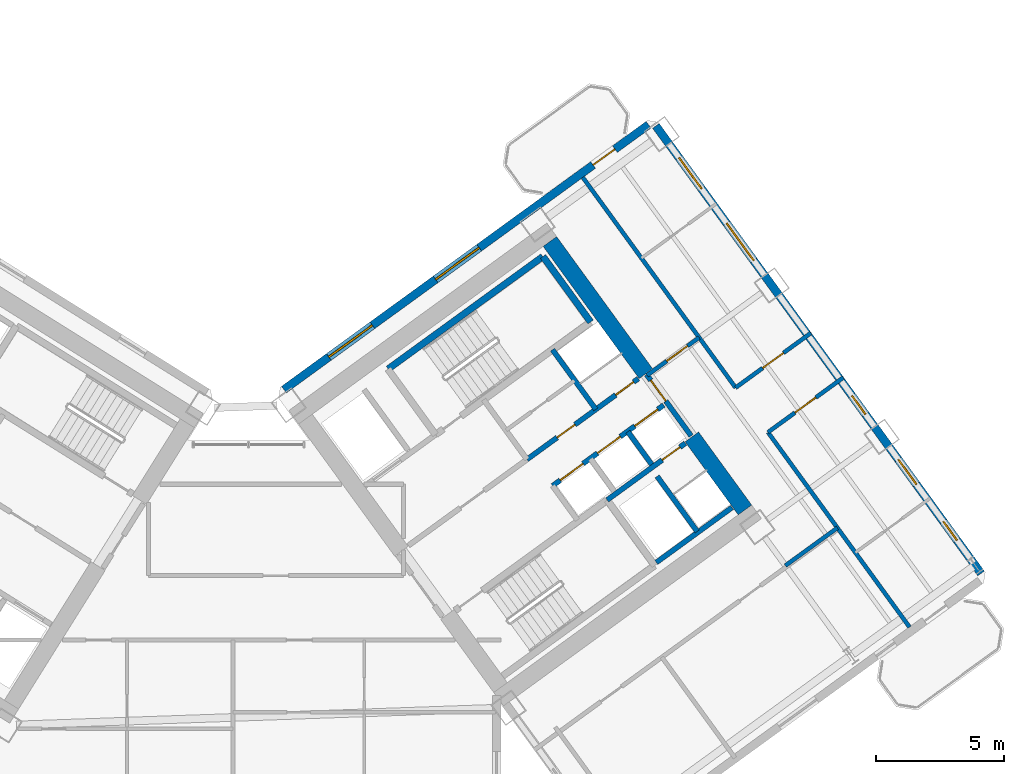
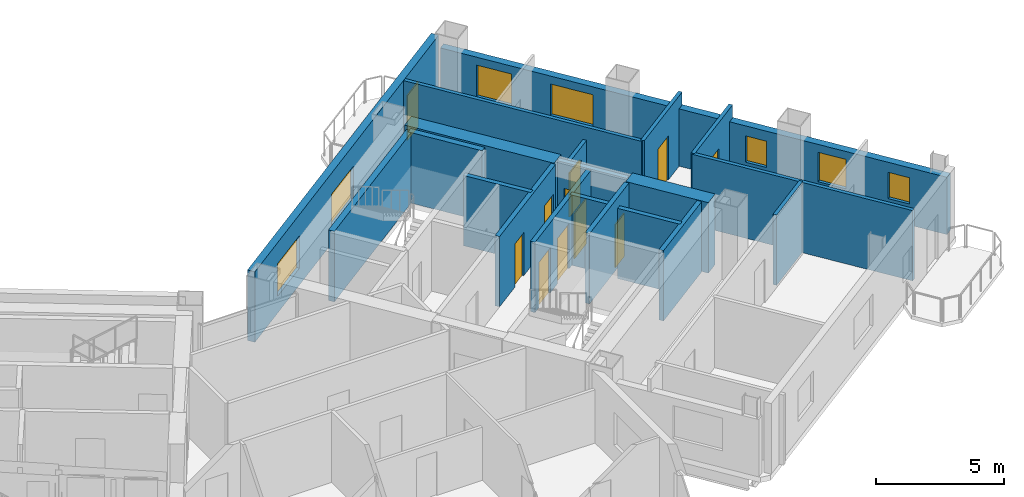
# One storey, part 19 of 24: 20 walls, 11 doors, 7 windows, 18 openings.
"""IFC4 building model written with IfcOpenShell, lengths in metres."""

import ifcopenshell
import ifcopenshell.guid

model = None  # the IFC model being written
_history = None  # IfcOwnerHistory: only IFC2X3 demands one
_inside = {}  # id of a spatial element -> (the spatial element, [elements in it])
_under = {}  # id of a project, library or spatial element -> (it, [spatial elements below it])
_declared = {}  # id of a project -> (the project, [libraries it declares])
_typed = {}  # id of a type object -> (the type object, [elements of that type])
_made_of = {}  # id of a material, layer set ... -> (it, [elements and type objects made of it])


def new_model(schema):
    """Start an empty IFC model of exactly this schema.

    Asked for "IFC4X3", IfcOpenShell would pick the latest addendum, in which some entities
    have other attributes; the version numbers below select the first issue.
    IFC2X3 requires an IfcOwnerHistory on every rooted entity: one is made here for all.
    """
    global model, _history
    if schema == "IFC4X3":
        model = ifcopenshell.file(schema_version=(4, 3, 0, 0))
    else:
        model = ifcopenshell.file(schema=schema)
    _inside.clear()
    _under.clear()
    _declared.clear()
    _typed.clear()
    _made_of.clear()
    _history = None
    if model.schema == "IFC2X3":
        org = make("IfcOrganization", Name="unknown")
        user = make(
            "IfcPersonAndOrganization",
            ThePerson=make("IfcPerson", FamilyName="unknown"),
            TheOrganization=org,
        )
        app = make(
            "IfcApplication",
            ApplicationDeveloper=org,
            Version="unknown",
            ApplicationFullName="unknown",
            ApplicationIdentifier="unknown",
        )
        _history = make(
            "IfcOwnerHistory",
            OwningUser=user,
            OwningApplication=app,
            ChangeAction="ADDED",
            CreationDate=0,
        )
    return model


def make(cls, **values):
    """One entity of the class cls with the attributes given. An attribute that is None is left unset."""
    return model.create_entity(
        cls, **{name: value for name, value in values.items() if value is not None}
    )


def rooted(cls, **values):
    """An entity with a GlobalId (a new one), such as an element, a storey or a relation."""
    return make(cls, GlobalId=ifcopenshell.guid.new(), OwnerHistory=_history, **values)


def si_unit(unit_type, name, prefix=None):
    """IfcSIUnit, for example si_unit("LENGTHUNIT", "METRE", prefix="MILLI")."""
    return make("IfcSIUnit", UnitType=unit_type, Prefix=prefix, Name=name)


def assignment(units):
    """IfcUnitAssignment: the units of a project."""
    return None if units is None else make("IfcUnitAssignment", Units=units)


def point(xyz):
    """IfcCartesianPoint."""
    return None if xyz is None else make("IfcCartesianPoint", Coordinates=xyz)


def direction(xyz):
    """IfcDirection."""
    return None if xyz is None else make("IfcDirection", DirectionRatios=xyz)


def frame(location, z_axis=None, x_axis=None):
    """IfcAxis2Placement3D, a coordinate frame: its origin and axes. An axis left out is left unset."""
    return make(
        "IfcAxis2Placement3D",
        Location=point(location),
        Axis=direction(z_axis),
        RefDirection=direction(x_axis),
    )


def frame_2d(location, x_axis=None):
    """IfcAxis2Placement2D, a coordinate frame in the plane: its origin and x axis."""
    return make(
        "IfcAxis2Placement2D", Location=point(location), RefDirection=direction(x_axis)
    )


def origin():
    """The frame at (0, 0, 0) with its axes left unset."""
    return frame((0.0, 0.0, 0.0))


def place(relative_to, where):
    """IfcLocalPlacement: puts the frame where relative to a parent placement (None: the world)."""
    return make(
        "IfcLocalPlacement", PlacementRelTo=relative_to, RelativePlacement=where
    )


def context(
    kind, dimensions, precision=None, world=None, true_north=None, identifier=None
):
    """IfcGeometricRepresentationContext, for example the 3D "Model" context."""
    return make(
        "IfcGeometricRepresentationContext",
        ContextIdentifier=identifier,
        ContextType=kind,
        CoordinateSpaceDimension=dimensions,
        Precision=precision,
        WorldCoordinateSystem=world,
        TrueNorth=true_north,
    )


def subcontext(parent, identifier, kind, view, scale=None):
    """IfcGeometricRepresentationSubContext, for example "Body" below "Model"."""
    return make(
        "IfcGeometricRepresentationSubContext",
        ContextIdentifier=identifier,
        ContextType=kind,
        ParentContext=parent,
        TargetScale=scale,
        TargetView=view,
    )


def project(units=None, contexts=None):
    """IfcProject with its units and contexts."""
    return rooted(
        "IfcProject",
        Name="project",
        RepresentationContexts=contexts,
        UnitsInContext=assignment(units),
    )


def spatial(cls, under=None, at=None, **own):
    """A site, building, storey or space (cls), placed at a placement, below another one or the project."""
    s = rooted(cls, ObjectPlacement=at, **own)
    if under is not None:
        _under.setdefault(under.id(), (under, []))[1].append(s)
    return s


def profile(cls, at=None, kind="AREA", **sizes):
    """A parametric profile (cls). Its sizes go by their IFC names, for example OverallWidth=200.0."""
    return make(cls, ProfileType=kind, Position=at, **sizes)


def rectangle(**sizes):
    """IfcRectangleProfileDef."""
    return profile("IfcRectangleProfileDef", **sizes)


def extrude(swept, where, along, depth):
    """IfcExtrudedAreaSolid: the profile swept, set in the frame where, extruded along a direction by depth."""
    return make(
        "IfcExtrudedAreaSolid",
        SweptArea=swept,
        Position=where,
        ExtrudedDirection=direction(along),
        Depth=depth,
    )


def shape(context_of_items, identifier, shape_type, items):
    """IfcShapeRepresentation: the items that make up one representation, for example the "Body"."""
    return make(
        "IfcShapeRepresentation",
        ContextOfItems=context_of_items,
        RepresentationIdentifier=identifier,
        RepresentationType=shape_type,
        Items=items,
    )


def source(mapping_origin, context_of_items, identifier, shape_type, items):
    """IfcRepresentationMap: a shape defined once, which mapped items show again and again."""
    return make(
        "IfcRepresentationMap",
        MappingOrigin=mapping_origin,
        MappedRepresentation=shape(context_of_items, identifier, shape_type, items),
    )


def transform(
    local_origin,
    x_axis=None,
    y_axis=None,
    z_axis=None,
    scale=None,
    scale2=None,
    scale3=None,
    uniform=True,
):
    """IfcCartesianTransformationOperator3D, or its non-uniform kind. x_axis, y_axis, z_axis: its Axis1, 2, 3."""
    if uniform:
        return make(
            "IfcCartesianTransformationOperator3D",
            Axis1=direction(x_axis),
            Axis2=direction(y_axis),
            LocalOrigin=point(local_origin),
            Scale=scale,
            Axis3=direction(z_axis),
        )
    return make(
        "IfcCartesianTransformationOperator3DnonUniform",
        Axis1=direction(x_axis),
        Axis2=direction(y_axis),
        LocalOrigin=point(local_origin),
        Scale=scale,
        Axis3=direction(z_axis),
        Scale2=scale2,
        Scale3=scale3,
    )


def mapped(mapping_source, mapping_target):
    """IfcMappedItem: shows the shape of a source again, moved by a transform."""
    return make(
        "IfcMappedItem", MappingSource=mapping_source, MappingTarget=mapping_target
    )


def material(Name=None, Category=None):
    """IfcMaterial."""
    return make("IfcMaterial", Name=Name, Category=Category)


def layer(
    of_material, thickness, ventilated=None, Name=None, Category=None, Priority=None
):
    """IfcMaterialLayer: one layer of a wall or slab, of a material (None: an air gap)."""
    return make(
        "IfcMaterialLayer",
        Material=of_material,
        LayerThickness=thickness,
        IsVentilated=ventilated,
        Name=Name,
        Category=Category,
        Priority=Priority,
    )


def layer_set(layers, Name=None):
    """IfcMaterialLayerSet."""
    return make("IfcMaterialLayerSet", MaterialLayers=layers, LayerSetName=Name)


def made_of(thing, what):
    """Note that an element or type object is made of a material, layer set ...; save() writes the relation."""
    if what is not None:
        _made_of.setdefault(what.id(), (what, []))[1].append(thing)
    return thing


def type_object(cls, material=None, **own):
    """A type object (cls), such as IfcWallType, which elements share."""
    return made_of(rooted(cls, **own), material)


def element(
    cls,
    number,
    at=None,
    inside=None,
    cuts=None,
    type_object=None,
    material=None,
    context=None,
    identifier="Body",
    shape_type=None,
    held_by="IfcProductDefinitionShape",
    body=None,
    shapes=None,
    **own,
):
    """One element of the class cls, such as IfcWall. Its Tag is "e" and its number.

    at: its placement. inside: the storey or other place that contains it. cuts: it is an
    opening in that element (IfcRelVoidsElement). A single representation is given by context,
    identifier, shape_type and body (its items); several are given by shapes. held_by: the class
    of the entity that holds the representations. save() writes the other relations.
    """
    e = rooted(cls, Tag="e%d" % number, ObjectPlacement=at, **own)
    if body is not None:
        shapes = [shape(context, identifier, shape_type, body)]
    if shapes is not None:
        e.Representation = make(held_by, Representations=shapes)
    if inside is not None:
        _inside.setdefault(inside.id(), (inside, []))[1].append(e)
    if cuts is not None:
        rooted(
            "IfcRelVoidsElement", RelatingBuildingElement=cuts, RelatedOpeningElement=e
        )
    if type_object is not None:
        _typed.setdefault(type_object.id(), (type_object, []))[1].append(e)
    return made_of(e, material)


def fill(opening, filler):
    """IfcRelFillsElement: the door or window that sits in an opening."""
    return rooted(
        "IfcRelFillsElement",
        RelatingOpeningElement=opening,
        RelatedBuildingElement=filler,
    )


def aggregate(whole, parts):
    """IfcRelAggregates: a whole, such as a stair, and the parts it consists of."""
    return rooted("IfcRelAggregates", RelatingObject=whole, RelatedObjects=parts)


def save(model, path):
    """Write the relations noted so far, then the file.

    IfcRelAggregates (storeys below a building ...), IfcRelContainedInSpatialStructure (elements
    in a storey), IfcRelDefinesByType, IfcRelAssociatesMaterial and IfcRelDeclares: one each for
    every whole, place, type object, material and project.
    """
    for whole, parts in _under.values():
        aggregate(whole, parts)
    for where, things in _inside.values():
        rooted(
            "IfcRelContainedInSpatialStructure",
            RelatedElements=things,
            RelatingStructure=where,
        )
    for kind, things in _typed.values():
        rooted("IfcRelDefinesByType", RelatedObjects=things, RelatingType=kind)
    for what, things in _made_of.values():
        rooted("IfcRelAssociatesMaterial", RelatedObjects=things, RelatingMaterial=what)
    for by, libraries in _declared.values():
        rooted("IfcRelDeclares", RelatingContext=by, RelatedDefinitions=libraries)
    model.write(path)


model = new_model("IFC4")

# Units and contexts
model_context = context("Model", 3, precision=1e-05, world=origin(), true_north=direction((0.0, 1.0)))
body_context = subcontext(model_context, "Body", "Model", "MODEL_VIEW")
ifc_project = project(units=[si_unit("LENGTHUNIT", "METRE"), si_unit("AREAUNIT", "SQUARE_METRE"), si_unit("VOLUMEUNIT", "CUBIC_METRE"), si_unit("PLANEANGLEUNIT", "RADIAN"), si_unit("MASSUNIT", "GRAM", prefix="KILO")], contexts=[model_context])

# Site, building, storey
site_placement = place(None, origin())
site = spatial("IfcSite", under=ifc_project, at=site_placement, CompositionType="ELEMENT")
building_placement = place(site_placement, origin())
building = spatial("IfcBuilding", under=site, at=building_placement, Name="Tlacorven Tower", CompositionType="ELEMENT")
storey_placement = place(building_placement, frame((0.0, 0.0, 60.0)))
storey = spatial("IfcBuildingStorey", under=building, at=storey_placement, Name="L15", CompositionType="ELEMENT", Elevation=60.0)

# Walls
ifc_material_1 = material(Name="Concrete C60/75", Category="concrete")
ifc_layer_1 = layer(ifc_material_1, 0.64990234375)
ifc_layer_set_1 = layer_set([ifc_layer_1], Name="Concrete C60/75")
wall_type_1 = type_object("IfcWallType", Name="WL-COR-650", PredefinedType="SHEAR", material=ifc_layer_set_1)
wall_1_placement = place(storey_placement, frame((61.9287109375, 20.494384765625, 0.0), z_axis=(0.0, 0.0, 1.0), x_axis=(-0.58782982593, 0.808984607855, 0.0)))
element("IfcWall", 1, at=wall_1_placement, inside=storey, type_object=wall_type_1, Name="L15 E core end wall E2.1", PredefinedType="SHEAR", context=body_context, shape_type="SweptSolid", body=[
    extrude(rectangle(XDim=3.52490234375, YDim=0.64990234375, at=frame_2d((1.762451171875, 0.0))), origin(), (0.0, 0.0, 1.0), 3.35009765625),
])
wall_2_placement = place(storey_placement, frame((58.06396484375, 25.8134765625, 0.0), z_axis=(0.0, 0.0, 1.0), x_axis=(-0.58777996584, 0.809020835181, 0.0)))
element("IfcWall", 2, at=wall_2_placement, inside=storey, type_object=wall_type_1, Name="L15 E core end wall E2.2", PredefinedType="SHEAR", context=body_context, shape_type="SweptSolid", body=[
    extrude(rectangle(XDim=6.375, YDim=0.64990234375, at=frame_2d((3.1875, 0.0))), origin(), (0.0, 0.0, 1.0), 3.35009765625),
])
ifc_material_2 = material(Name="Gypsum plasterboard acoustic partition", Category="gypsum")
ifc_layer_2 = layer(ifc_material_2, 0.159912109375)
ifc_layer_set_2 = layer_set([ifc_layer_2], Name="Gypsum plasterboard acoustic partition")
wall_type_2 = type_object("IfcWallType", Name="WL-DEM-160", PredefinedType="PARTITIONING", material=ifc_layer_set_2)
wall_3_placement = place(storey_placement, frame((63.5068359375, 18.322021484375, 0.0), z_axis=(0.0, 0.0, 1.0), x_axis=(0.809034604122, 0.587761013791, 0.0)))
element("IfcWall", 3, at=wall_3_placement, inside=storey, type_object=wall_type_2, Name="L15 partition 89", PredefinedType="PARTITIONING", context=body_context, shape_type="SweptSolid", body=[
    extrude(rectangle(XDim=2.510009765625, YDim=0.159912109375, at=frame_2d((1.2548828125, 0.0))), origin(), (0.0, 0.0, 1.0), 3.340087890625),
])

# Wall, opening, door
wall_4_placement = place(storey_placement, frame((58.111083984375, 25.748779296875, 0.0), z_axis=(0.0, 0.0, 1.0), x_axis=(0.809000999347, 0.58780726693, 0.0)))
wall_4 = element("IfcWall", 4, at=wall_4_placement, inside=storey, type_object=wall_type_2, Name="L15 partition 90", PredefinedType="PARTITIONING", context=body_context, shape_type="SweptSolid", body=[
    extrude(rectangle(XDim=2.510009765625, YDim=0.159912109375, at=frame_2d((1.2548828125, 0.0))), origin(), (0.0, 0.0, 1.0), 2.72509765625),
])
opening_1_placement = place(wall_4_placement, frame((0.949951171875, 0.0, 0.0)))
opening_1 = element("IfcOpeningElement", 5, at=opening_1_placement, cuts=wall_4, Name="Opening D11", PredefinedType="OPENING", context=body_context, shape_type="SweptSolid", body=[
    extrude(rectangle(XDim=1.0, YDim=2.10009765625, at=frame_2d((0.5, 1.050048828125))), frame((0.0, 0.08984375, 0.0), z_axis=(0.0, -1.0, 0.0), x_axis=(1.0, 0.0, 0.0)), (0.0, 0.0, 1.0), 0.179931640625),
])
ifc_material_3 = material(Name="Fire-rated steel door assembly", Category="steel")
door_type_1 = type_object("IfcDoorType", Name="DR-FLT-FD60-1000", OperationType="NOTDEFINED", PredefinedType="DOOR", material=ifc_material_3)
shared_shape_1 = source(origin(), body_context, "Body", "SweptSolid", [
    extrude(rectangle(XDim=1.0, YDim=2.10009765625, at=frame_2d((0.5, 1.050048828125))), frame((0.0, 0.02490234375, 0.0), z_axis=(0.0, -1.0, 0.0), x_axis=(1.0, 0.0, 0.0)), (0.0, 0.0, 1.0), 0.050048828125),
])
door_1_placement = place(opening_1_placement, origin())
door_1 = element("IfcDoor", 6, at=door_1_placement, inside=storey, type_object=door_type_1, Name="L15 door 053", OperationType="SINGLE_SWING_RIGHT", OverallHeight=2.10009765625, OverallWidth=1.0, PredefinedType="DOOR", context=body_context, shape_type="MappedRepresentation", body=[
    mapped(shared_shape_1, transform((0.0, 0.0, 0.0), scale=1.0)),
])
fill(opening_1, door_1)

# Walls
wall_5_placement = place(storey_placement, frame((68.35302734375, 15.922119140625, 0.0), z_axis=(0.0, 0.0, 1.0), x_axis=(-0.587784007866, 0.809017898502, 0.0)))
element("IfcWall", 7, at=wall_5_placement, inside=storey, type_object=wall_type_2, Name="L15 partition 91", PredefinedType="PARTITIONING", context=body_context, shape_type="SweptSolid", body=[
    extrude(rectangle(XDim=9.39990234375, YDim=0.159912109375, at=frame_2d((4.699951171875, 0.0))), origin(), (0.0, 0.0, 1.0), 3.340087890625),
])
wall_6_placement = place(storey_placement, frame((61.564208984375, 25.266357421875, 0.0), z_axis=(0.0, 0.0, 1.0), x_axis=(-0.587792629712, 0.809011634314, 0.0)))
element("IfcWall", 8, at=wall_6_placement, inside=storey, type_object=wall_type_2, Name="L15 partition 92", PredefinedType="PARTITIONING", context=body_context, shape_type="SweptSolid", body=[
    extrude(rectangle(XDim=10.14990234375, YDim=0.159912109375, at=frame_2d((5.074951171875, 0.0))), origin(), (0.0, 0.0, 1.0), 3.340087890625),
])

# Wall, opening, door
wall_7_placement = place(storey_placement, frame((62.827880859375, 23.52685546875, 0.0), z_axis=(0.0, 0.0, 1.0), x_axis=(0.809003564202, 0.587803736896, 0.0)))
wall_7 = element("IfcWall", 9, at=wall_7_placement, inside=storey, type_object=wall_type_2, Name="L15 partition 94", PredefinedType="PARTITIONING", context=body_context, shape_type="SweptSolid", body=[
    extrude(rectangle(XDim=3.630126953125, YDim=0.159912109375, at=frame_2d((1.81494140625, 0.0))), origin(), (0.0, 0.0, 1.0), 3.340087890625),
])
opening_2_placement = place(wall_7_placement, frame((1.304931640625, 0.0, 0.0)))
opening_2 = element("IfcOpeningElement", 10, at=opening_2_placement, cuts=wall_7, Name="Opening D11", PredefinedType="OPENING", context=body_context, shape_type="SweptSolid", body=[
    extrude(rectangle(XDim=1.0, YDim=2.10009765625, at=frame_2d((0.5, 1.050048828125))), frame((0.0, 0.08984375, 0.0), z_axis=(0.0, -1.0, 0.0), x_axis=(1.0, 0.0, 0.0)), (0.0, 0.0, 1.0), 0.179931640625),
])
door_2_placement = place(opening_2_placement, origin())
door_2 = element("IfcDoor", 11, at=door_2_placement, inside=storey, type_object=door_type_1, Name="L15 door 057", OperationType="SINGLE_SWING_RIGHT", OverallHeight=2.10009765625, OverallWidth=1.0, PredefinedType="DOOR", context=body_context, shape_type="MappedRepresentation", body=[
    mapped(shared_shape_1, transform((0.0, 0.0, 0.0), scale=1.0)),
])
fill(opening_2, door_2)

wall_8_placement = place(storey_placement, frame((61.564208984375, 25.266357421875, 0.0), z_axis=(0.0, 0.0, 1.0), x_axis=(0.809012309495, 0.587791700422, 0.0)))
wall_8 = element("IfcWall", 12, at=wall_8_placement, inside=storey, type_object=wall_type_2, Name="L15 partition 95", PredefinedType="PARTITIONING", context=body_context, shape_type="SweptSolid", body=[
    extrude(rectangle(XDim=3.6298828125, YDim=0.159912109375, at=frame_2d((1.81494140625, 0.0))), origin(), (0.0, 0.0, 1.0), 3.340087890625),
])
opening_3_placement = place(wall_8_placement, frame((1.304931640625, 0.0, 0.0)))
opening_3 = element("IfcOpeningElement", 13, at=opening_3_placement, cuts=wall_8, Name="Opening D11", PredefinedType="OPENING", context=body_context, shape_type="SweptSolid", body=[
    extrude(rectangle(XDim=1.0, YDim=2.10009765625, at=frame_2d((0.5, 1.050048828125))), frame((0.0, 0.08984375, 0.0), z_axis=(0.0, -1.0, 0.0), x_axis=(1.0, 0.0, 0.0)), (0.0, 0.0, 1.0), 0.179931640625),
])
door_3_placement = place(opening_3_placement, origin())
door_3 = element("IfcDoor", 14, at=door_3_placement, inside=storey, type_object=door_type_1, Name="L15 door 055", OperationType="SINGLE_SWING_RIGHT", OverallHeight=2.10009765625, OverallWidth=1.0, PredefinedType="DOOR", context=body_context, shape_type="MappedRepresentation", body=[
    mapped(shared_shape_1, transform((0.0, 0.0, 0.0), scale=1.0)),
])
fill(opening_3, door_3)

# Wall, openings, door, windows
ifc_material_4 = material(Name="Precast concrete C45/55", Category="concrete")
ifc_layer_3 = layer(ifc_material_4, 0.320068359375)
ifc_layer_set_3 = layer_set([ifc_layer_3], Name="Precast concrete C45/55")
wall_type_3 = type_object("IfcWallType", Name="WL-EXT-320", PredefinedType="STANDARD", material=ifc_layer_set_3)
wall_9_placement = place(storey_placement, frame((43.93798828125, 25.191650390625, 0.0), z_axis=(0.0, 0.0, 1.0), x_axis=(0.809016324578, 0.587786174187, 0.0)))
wall_9 = element("IfcWall", 15, at=wall_9_placement, inside=storey, type_object=wall_type_3, Name="L15 Masonry-Frame Recessed Facade Wall 4", PredefinedType="STANDARD", context=body_context, shape_type="SweptSolid", body=[
    extrude(rectangle(XDim=17.58740234375, YDim=0.320068359375, at=frame_2d((8.793701171875, 0.0))), origin(), (0.0, 0.0, 1.0), 3.35009765625),
])
opening_4_placement = place(wall_9_placement, frame((14.913818359375, 0.0, 0.0)))
opening_4 = element("IfcOpeningElement", 16, at=opening_4_placement, cuts=wall_9, Name="Opening D06", PredefinedType="OPENING", context=body_context, shape_type="SweptSolid", body=[
    extrude(rectangle(XDim=1.050048828125, YDim=2.14990234375, at=frame_2d((0.52490234375, 1.074951171875))), frame((0.0, 0.169921875, 0.0), z_axis=(0.0, -1.0, 0.0), x_axis=(1.0, 0.0, 0.0)), (0.0, 0.0, 1.0), 0.340087890625),
])
opening_5_placement = place(wall_9_placement, frame((2.168701171875, 0.0, 0.800048828125)))
opening_5 = element("IfcOpeningElement", 17, at=opening_5_placement, cuts=wall_9, Name="Opening WN04", PredefinedType="OPENING", context=body_context, shape_type="SweptSolid", body=[
    extrude(rectangle(XDim=2.10009765625, YDim=1.550048828125, at=frame_2d((1.050048828125, 0.77490234375))), frame((0.0, 0.169921875, 0.0), z_axis=(0.0, -1.0, 0.0), x_axis=(1.0, 0.0, 0.0)), (0.0, 0.0, 1.0), 0.340087890625),
])
opening_6_placement = place(wall_9_placement, frame((7.318603515625, 0.0, 0.800048828125)))
opening_6 = element("IfcOpeningElement", 18, at=opening_6_placement, cuts=wall_9, Name="Opening WN04", PredefinedType="OPENING", context=body_context, shape_type="SweptSolid", body=[
    extrude(rectangle(XDim=2.10009765625, YDim=1.550048828125, at=frame_2d((1.050048828125, 0.77490234375))), frame((0.0, 0.169921875, 0.0), z_axis=(0.0, -1.0, 0.0), x_axis=(1.0, 0.0, 0.0)), (0.0, 0.0, 1.0), 0.340087890625),
])
ifc_material_5 = material(Name="Powder-coated aluminium and timber door", Category="wood")
door_type_2 = type_object("IfcDoorType", Name="DR-EXT-BALC-1050", OperationType="NOTDEFINED", PredefinedType="DOOR", material=ifc_material_5)
shared_shape_2 = source(origin(), body_context, "Body", "SweptSolid", [
    extrude(rectangle(XDim=1.050048828125, YDim=2.14990234375, at=frame_2d((0.52490234375, 1.074951171875))), frame((0.0, 0.02490234375, 0.0), z_axis=(0.0, -1.0, 0.0), x_axis=(1.0, 0.0, 0.0)), (0.0, 0.0, 1.0), 0.050048828125),
])
door_4_placement = place(opening_4_placement, origin())
door_4 = element("IfcDoor", 19, at=door_4_placement, inside=storey, type_object=door_type_2, Name="L15 Outdoor Access Door BAL-L15-E-IN", OperationType="SINGLE_SWING_RIGHT", OverallHeight=2.14990234375, OverallWidth=1.050048828125, PredefinedType="DOOR", context=body_context, shape_type="MappedRepresentation", body=[
    mapped(shared_shape_2, transform((0.0, 0.0, 0.0), scale=1.0)),
])
fill(opening_4, door_4)
ifc_material_6 = material(Name="Dark solar low-E double glazing in anodised aluminium frame", Category="aluminium")
window_type_1 = type_object("IfcWindowType", Name="WN-APT-2100X1750", PartitioningType="SINGLE_PANEL", PredefinedType="WINDOW", material=ifc_material_6)
shared_shape_3 = source(origin(), body_context, "Body", "SweptSolid", [
    extrude(rectangle(XDim=2.10009765625, YDim=1.550048828125, at=frame_2d((1.050048828125, 0.77490234375))), frame((0.0, 0.030029296875, 0.0), z_axis=(0.0, -1.0, 0.0), x_axis=(1.0, 0.0, 0.0)), (0.0, 0.0, 1.0), 0.06005859375),
])
window_1_placement = place(opening_5_placement, origin())
window_1 = element("IfcWindow", 20, at=window_1_placement, inside=storey, type_object=window_type_1, Name="L15 Recessed Masonry-Frame Window L15-04.1", OverallHeight=1.550048828125, OverallWidth=2.10009765625, PartitioningType="SINGLE_PANEL", PredefinedType="WINDOW", context=body_context, shape_type="MappedRepresentation", body=[
    mapped(shared_shape_3, transform((0.0, 0.0, 0.0), scale=1.0)),
])
fill(opening_5, window_1)
window_2_placement = place(opening_6_placement, origin())
window_2 = element("IfcWindow", 21, at=window_2_placement, inside=storey, type_object=window_type_1, Name="L15 Recessed Masonry-Frame Window L15-04.2", OverallHeight=1.550048828125, OverallWidth=2.10009765625, PartitioningType="SINGLE_PANEL", PredefinedType="WINDOW", context=body_context, shape_type="MappedRepresentation", body=[
    mapped(shared_shape_3, transform((0.0, 0.0, 0.0), scale=1.0)),
])
fill(opening_6, window_2)

# Wall, openings, windows
wall_10_placement = place(storey_placement, frame((58.45458984375, 35.483642578125, 0.0), z_axis=(0.0, 0.0, 1.0), x_axis=(0.587783625747, -0.809018176127, 0.0)))
wall_10 = element("IfcWall", 22, at=wall_10_placement, inside=storey, type_object=wall_type_3, Name="L15 Masonry-Frame Recessed Facade Wall 5", PredefinedType="STANDARD", context=body_context, shape_type="SweptSolid", body=[
    extrude(rectangle(XDim=21.58740234375, YDim=0.320068359375, at=frame_2d((10.793701171875, 0.0))), origin(), (0.0, 0.0, 1.0), 2.72509765625),
])
opening_7_placement = place(wall_10_placement, frame((1.540283203125, 0.0, 0.85009765625)))
opening_7 = element("IfcOpeningElement", 23, at=opening_7_placement, cuts=wall_10, Name="Opening WN02", PredefinedType="OPENING", context=body_context, shape_type="SweptSolid", body=[
    extrude(rectangle(XDim=1.5, YDim=1.5, at=frame_2d((0.75, 0.75))), frame((0.0, 0.169921875, 0.0), z_axis=(0.0, -1.0, 0.0), x_axis=(1.0, 0.0, 0.0)), (0.0, 0.0, 1.0), 0.340087890625),
])
opening_8_placement = place(wall_10_placement, frame((4.6953125, 0.0, 0.85009765625)))
opening_8 = element("IfcOpeningElement", 24, at=opening_8_placement, cuts=wall_10, Name="Opening WN01", PredefinedType="OPENING", context=body_context, shape_type="SweptSolid", body=[
    extrude(rectangle(XDim=1.800048828125, YDim=1.5, at=frame_2d((0.89990234375, 0.75))), frame((0.0, 0.169921875, 0.0), z_axis=(0.0, -1.0, 0.0), x_axis=(1.0, 0.0, 0.0)), (0.0, 0.0, 1.0), 0.340087890625),
])
opening_9_placement = place(wall_10_placement, frame((13.0087890625, 0.0, 1.0)))
opening_9 = element("IfcOpeningElement", 25, at=opening_9_placement, cuts=wall_10, Name="Opening WN05", PredefinedType="OPENING", context=body_context, shape_type="SweptSolid", body=[
    extrude(rectangle(XDim=0.89990234375, YDim=1.25, at=frame_2d((0.449951171875, 0.625))), frame((0.0, 0.169921875, 0.0), z_axis=(0.0, -1.0, 0.0), x_axis=(1.0, 0.0, 0.0)), (0.0, 0.0, 1.0), 0.340087890625),
])
opening_10_placement = place(wall_10_placement, frame((16.09228515625, 0.0, 0.949951171875)))
opening_10 = element("IfcOpeningElement", 26, at=opening_10_placement, cuts=wall_10, Name="Opening WN03", PredefinedType="OPENING", context=body_context, shape_type="SweptSolid", body=[
    extrude(rectangle(XDim=1.199951171875, YDim=1.39990234375, at=frame_2d((0.60009765625, 0.699951171875))), frame((0.0, 0.169921875, 0.0), z_axis=(0.0, -1.0, 0.0), x_axis=(1.0, 0.0, 0.0)), (0.0, 0.0, 1.0), 0.340087890625),
])
opening_11_placement = place(wall_10_placement, frame((19.084716796875, 0.0, 1.0)))
opening_11 = element("IfcOpeningElement", 27, at=opening_11_placement, cuts=wall_10, Name="Opening WN05", PredefinedType="OPENING", context=body_context, shape_type="SweptSolid", body=[
    extrude(rectangle(XDim=0.89990234375, YDim=1.25, at=frame_2d((0.449951171875, 0.625))), frame((0.0, 0.169921875, 0.0), z_axis=(0.0, -1.0, 0.0), x_axis=(1.0, 0.0, 0.0)), (0.0, 0.0, 1.0), 0.340087890625),
])
window_type_2 = type_object("IfcWindowType", Name="WN-APT-1200X1500", PartitioningType="SINGLE_PANEL", PredefinedType="WINDOW", material=ifc_material_6)
shared_shape_4 = source(origin(), body_context, "Body", "SweptSolid", [
    extrude(rectangle(XDim=1.199951171875, YDim=1.39990234375, at=frame_2d((0.60009765625, 0.699951171875))), frame((0.0, 0.030029296875, 0.0), z_axis=(0.0, -1.0, 0.0), x_axis=(1.0, 0.0, 0.0)), (0.0, 0.0, 1.0), 0.06005859375),
])
window_3_placement = place(opening_10_placement, origin())
window_3 = element("IfcWindow", 28, at=window_3_placement, inside=storey, type_object=window_type_2, Name="L15 Recessed Masonry-Frame Window L15-05.4", OverallHeight=1.39990234375, OverallWidth=1.199951171875, PartitioningType="SINGLE_PANEL", PredefinedType="WINDOW", context=body_context, shape_type="MappedRepresentation", body=[
    mapped(shared_shape_4, transform((0.0, 0.0, 0.0), scale=1.0)),
])
fill(opening_10, window_3)
window_type_3 = type_object("IfcWindowType", Name="WN-APT-1800X1650", PartitioningType="SINGLE_PANEL", PredefinedType="WINDOW", material=ifc_material_6)
shared_shape_5 = source(origin(), body_context, "Body", "SweptSolid", [
    extrude(rectangle(XDim=1.800048828125, YDim=1.5, at=frame_2d((0.89990234375, 0.75))), frame((0.0, 0.030029296875, 0.0), z_axis=(0.0, -1.0, 0.0), x_axis=(1.0, 0.0, 0.0)), (0.0, 0.0, 1.0), 0.06005859375),
])
window_4_placement = place(opening_8_placement, origin())
window_4 = element("IfcWindow", 29, at=window_4_placement, inside=storey, type_object=window_type_3, Name="L15 Recessed Masonry-Frame Window L15-05.2", OverallHeight=1.5, OverallWidth=1.800048828125, PartitioningType="SINGLE_PANEL", PredefinedType="WINDOW", context=body_context, shape_type="MappedRepresentation", body=[
    mapped(shared_shape_5, transform((0.0, 0.0, 0.0), scale=1.0)),
])
fill(opening_8, window_4)
window_type_4 = type_object("IfcWindowType", Name="WN-APT-1500X1650", PartitioningType="SINGLE_PANEL", PredefinedType="WINDOW", material=ifc_material_6)
shared_shape_6 = source(origin(), body_context, "Body", "SweptSolid", [
    extrude(rectangle(XDim=1.5, YDim=1.5, at=frame_2d((0.75, 0.75))), frame((0.0, 0.030029296875, 0.0), z_axis=(0.0, -1.0, 0.0), x_axis=(1.0, 0.0, 0.0)), (0.0, 0.0, 1.0), 0.06005859375),
])
window_5_placement = place(opening_7_placement, origin())
window_5 = element("IfcWindow", 30, at=window_5_placement, inside=storey, type_object=window_type_4, Name="L15 Recessed Masonry-Frame Window L15-05.1", OverallHeight=1.5, OverallWidth=1.5, PartitioningType="SINGLE_PANEL", PredefinedType="WINDOW", context=body_context, shape_type="MappedRepresentation", body=[
    mapped(shared_shape_6, transform((0.0, 0.0, 0.0), scale=1.0)),
])
fill(opening_7, window_5)
window_type_5 = type_object("IfcWindowType", Name="WN-APT-0900X1350", PartitioningType="SINGLE_PANEL", PredefinedType="WINDOW", material=ifc_material_6)
shared_shape_7 = source(origin(), body_context, "Body", "SweptSolid", [
    extrude(rectangle(XDim=0.89990234375, YDim=1.25, at=frame_2d((0.449951171875, 0.625))), frame((0.0, 0.030029296875, 0.0), z_axis=(0.0, -1.0, 0.0), x_axis=(1.0, 0.0, 0.0)), (0.0, 0.0, 1.0), 0.06005859375),
])
window_6_placement = place(opening_9_placement, origin())
window_6 = element("IfcWindow", 31, at=window_6_placement, inside=storey, type_object=window_type_5, Name="L15 Recessed Masonry-Frame Window L15-05.3", OverallHeight=1.25, OverallWidth=0.89990234375, PartitioningType="SINGLE_PANEL", PredefinedType="WINDOW", context=body_context, shape_type="MappedRepresentation", body=[
    mapped(shared_shape_7, transform((0.0, 0.0, 0.0), scale=1.0)),
])
fill(opening_9, window_6)
window_7_placement = place(opening_11_placement, origin())
window_7 = element("IfcWindow", 32, at=window_7_placement, inside=storey, type_object=window_type_5, Name="L15 Recessed Masonry-Frame Window L15-05.5", OverallHeight=1.25, OverallWidth=0.89990234375, PartitioningType="SINGLE_PANEL", PredefinedType="WINDOW", context=body_context, shape_type="MappedRepresentation", body=[
    mapped(shared_shape_7, transform((0.0, 0.0, 0.0), scale=1.0)),
])
fill(opening_11, window_7)

# Wall, opening, door
ifc_material_7 = material(Name="Concrete C40/50", Category="concrete")
ifc_layer_4 = layer(ifc_material_7, 0.199951171875)
ifc_layer_set_4 = layer_set([ifc_layer_4], Name="Concrete C40/50")
wall_type_4 = type_object("IfcWallType", Name="WL-SHF-200", PredefinedType="STANDARD", material=ifc_layer_set_4)
wall_11_placement = place(storey_placement, frame((56.552978515625, 20.884033203125, 0.0), z_axis=(0.0, 0.0, 1.0), x_axis=(0.809035789462, 0.587759382205, 0.0)))
wall_11 = element("IfcWall", 33, at=wall_11_placement, inside=storey, type_object=wall_type_4, Name="L15 Core E South Lift Shaft Wall", PredefinedType="STANDARD", context=body_context, shape_type="SweptSolid", body=[
    extrude(rectangle(XDim=3.767822265625, YDim=0.199951171875, at=frame_2d((1.8837890625, 0.0))), origin(), (0.0, 0.0, 1.0), 3.340087890625),
])
opening_12_placement = place(wall_11_placement, frame((2.64990234375, 0.0, 0.0)))
opening_12 = element("IfcOpeningElement", 34, at=opening_12_placement, cuts=wall_11, Name="Opening D19", PredefinedType="OPENING", context=body_context, shape_type="SweptSolid", body=[
    extrude(rectangle(XDim=0.860107421875, YDim=2.050048828125, at=frame_2d((0.43017578125, 1.02490234375))), frame((0.0, 0.10986328125, 0.0), z_axis=(0.0, -1.0, 0.0), x_axis=(1.0, 0.0, 0.0)), (0.0, 0.0, 1.0), 0.219970703125),
])
door_type_3 = type_object("IfcDoorType", Name="DR-RSR-FD60-0860", OperationType="NOTDEFINED", PredefinedType="DOOR", material=ifc_material_3)
shared_shape_8 = source(origin(), body_context, "Body", "SweptSolid", [
    extrude(rectangle(XDim=0.860107421875, YDim=2.050048828125, at=frame_2d((0.43017578125, 1.02490234375))), frame((0.0, 0.02490234375, 0.0), z_axis=(0.0, -1.0, 0.0), x_axis=(1.0, 0.0, 0.0)), (0.0, 0.0, 1.0), 0.050048828125),
])
door_5_placement = place(opening_12_placement, origin())
door_5 = element("IfcDoor", 35, at=door_5_placement, inside=storey, type_object=door_type_3, Name="L15 Smoke Extract Riser Access Door", OperationType="SINGLE_SWING_LEFT", OverallHeight=2.050048828125, OverallWidth=0.860107421875, PredefinedType="DOOR", context=body_context, shape_type="MappedRepresentation", body=[
    mapped(shared_shape_8, transform((0.0, 0.0, 0.0), scale=1.0)),
])
fill(opening_12, door_5)

# Wall, openings, doors
wall_12_placement = place(storey_placement, frame((54.421142578125, 21.436279296875, 0.0), z_axis=(0.0, 0.0, 1.0), x_axis=(0.809013710463, 0.587789772183, 0.0)))
wall_12 = element("IfcWall", 36, at=wall_12_placement, inside=storey, type_object=wall_type_4, Name="L15 partition 33", PredefinedType="STANDARD", context=body_context, shape_type="SweptSolid", body=[
    extrude(rectangle(XDim=5.360107421875, YDim=0.199951171875, at=frame_2d((2.68017578125, 0.0))), origin(), (0.0, 0.0, 1.0), 3.340087890625),
])
opening_13_placement = place(wall_12_placement, frame((0.3701171875, 0.0, 0.0)))
opening_13 = element("IfcOpeningElement", 37, at=opening_13_placement, cuts=wall_12, Name="Opening LD01", PredefinedType="OPENING", context=body_context, shape_type="SweptSolid", body=[
    extrude(rectangle(XDim=1.10009765625, YDim=2.14990234375, at=frame_2d((0.550048828125, 1.074951171875))), frame((0.0, 0.10986328125, 0.0), z_axis=(0.0, -1.0, 0.0), x_axis=(1.0, 0.0, 0.0)), (0.0, 0.0, 1.0), 0.219970703125),
])
opening_14_placement = place(wall_12_placement, frame((2.169921875, 0.0, 0.0)))
opening_14 = element("IfcOpeningElement", 38, at=opening_14_placement, cuts=wall_12, Name="Opening LD01", PredefinedType="OPENING", context=body_context, shape_type="SweptSolid", body=[
    extrude(rectangle(XDim=1.10009765625, YDim=2.14990234375, at=frame_2d((0.550048828125, 1.074951171875))), frame((0.0, 0.10986328125, 0.0), z_axis=(0.0, -1.0, 0.0), x_axis=(1.0, 0.0, 0.0)), (0.0, 0.0, 1.0), 0.219970703125),
])
opening_15_placement = place(wall_12_placement, frame((3.969970703125, 0.0, 0.0)))
opening_15 = element("IfcOpeningElement", 39, at=opening_15_placement, cuts=wall_12, Name="Opening LD01", PredefinedType="OPENING", context=body_context, shape_type="SweptSolid", body=[
    extrude(rectangle(XDim=1.10009765625, YDim=2.14990234375, at=frame_2d((0.550048828125, 1.074951171875))), frame((0.0, 0.10986328125, 0.0), z_axis=(0.0, -1.0, 0.0), x_axis=(1.0, 0.0, 0.0)), (0.0, 0.0, 1.0), 0.219970703125),
])
door_type_4 = type_object("IfcDoorType", Name="DR-LFT-SLID-1100", OperationType="DOUBLE_DOOR_SLIDING", PredefinedType="DOOR", material=ifc_material_3)
shared_shape_9 = source(origin(), body_context, "Body", "SweptSolid", [
    extrude(rectangle(XDim=1.10009765625, YDim=2.14990234375, at=frame_2d((0.550048828125, 1.074951171875))), frame((0.0, 0.02490234375, 0.0), z_axis=(0.0, -1.0, 0.0), x_axis=(1.0, 0.0, 0.0)), (0.0, 0.0, 1.0), 0.050048828125),
])
door_6_placement = place(opening_13_placement, origin())
door_6 = element("IfcDoor", 40, at=door_6_placement, inside=storey, type_object=door_type_4, Name="L15 Lift PL-L1 Sliding Landing Door", OperationType="DOUBLE_DOOR_SLIDING", OverallHeight=2.14990234375, OverallWidth=1.10009765625, PredefinedType="DOOR", context=body_context, shape_type="MappedRepresentation", body=[
    mapped(shared_shape_9, transform((0.0, 0.0, 0.0), scale=1.0)),
])
fill(opening_13, door_6)
door_7_placement = place(opening_14_placement, origin())
door_7 = element("IfcDoor", 41, at=door_7_placement, inside=storey, type_object=door_type_4, Name="L15 Lift PL-L2 Sliding Landing Door", OperationType="DOUBLE_DOOR_SLIDING", OverallHeight=2.14990234375, OverallWidth=1.10009765625, PredefinedType="DOOR", context=body_context, shape_type="MappedRepresentation", body=[
    mapped(shared_shape_9, transform((0.0, 0.0, 0.0), scale=1.0)),
])
fill(opening_14, door_7)
door_8_placement = place(opening_15_placement, origin())
door_8 = element("IfcDoor", 42, at=door_8_placement, inside=storey, type_object=door_type_4, Name="L15 Lift PL-L3 Sliding Landing Door", OperationType="DOUBLE_DOOR_SLIDING", OverallHeight=2.14990234375, OverallWidth=1.10009765625, PredefinedType="DOOR", context=body_context, shape_type="MappedRepresentation", body=[
    mapped(shared_shape_9, transform((0.0, 0.0, 0.0), scale=1.0)),
])
fill(opening_15, door_8)

# Walls
wall_13_placement = place(storey_placement, frame((58.290283203125, 22.269775390625, 0.0), z_axis=(0.0, 0.0, 1.0), x_axis=(-0.587840865826, 0.808976585857, 0.0)))
element("IfcWall", 43, at=wall_13_placement, inside=storey, type_object=wall_type_4, Name="L15 partition 37", PredefinedType="STANDARD", context=body_context, shape_type="SweptSolid", body=[
    extrude(rectangle(XDim=1.579833984375, YDim=0.199951171875, at=frame_2d((0.7900390625, 0.0))), origin(), (0.0, 0.0, 1.0), 3.340087890625),
])
wall_14_placement = place(storey_placement, frame((60.066650390625, 19.654541015625, 0.0), z_axis=(0.0, 0.0, 1.0), x_axis=(-0.587800520745, 0.809005900975, 0.0)))
element("IfcWall", 44, at=wall_14_placement, inside=storey, type_object=wall_type_4, Name="L15 partition 38", PredefinedType="STANDARD", context=body_context, shape_type="SweptSolid", body=[
    extrude(rectangle(XDim=2.659912109375, YDim=0.199951171875, at=frame_2d((1.330078125, 0.0))), origin(), (0.0, 0.0, 1.0), 3.340087890625),
])
wall_15_placement = place(storey_placement, frame((58.47216796875, 18.446533203125, 0.0), z_axis=(0.0, 0.0, 1.0), x_axis=(0.809022487728, 0.587777691266, 0.0)))
element("IfcWall", 45, at=wall_15_placement, inside=storey, type_object=wall_type_4, Name="L15 partition 40", PredefinedType="STANDARD", context=body_context, shape_type="SweptSolid", body=[
    extrude(rectangle(XDim=3.648193359375, YDim=0.199951171875, at=frame_2d((1.82421875, 0.0))), origin(), (0.0, 0.0, 1.0), 3.340087890625),
])
wall_16_placement = place(storey_placement, frame((56.110595703125, 24.4189453125, 0.0), z_axis=(0.0, 0.0, 1.0), x_axis=(-0.58777848983, 0.809021907548, 0.0)))
element("IfcWall", 46, at=wall_16_placement, inside=storey, type_object=wall_type_4, Name="L15 partition 43", PredefinedType="STANDARD", context=body_context, shape_type="SweptSolid", body=[
    extrude(rectangle(XDim=2.880126953125, YDim=0.199951171875, at=frame_2d((1.43994140625, 0.0))), origin(), (0.0, 0.0, 1.0), 3.340087890625),
])

# Wall, openings, doors
wall_17_placement = place(storey_placement, frame((53.424560546875, 22.467529296875, 0.0), z_axis=(0.0, 0.0, 1.0), x_axis=(0.80902705128, 0.587771409902, 0.0)))
wall_17 = element("IfcWall", 47, at=wall_17_placement, inside=storey, type_object=wall_type_4, Name="L15 Core E North Service Wall", PredefinedType="STANDARD", context=body_context, shape_type="SweptSolid", body=[
    extrude(rectangle(XDim=5.3681640625, YDim=0.199951171875, at=frame_2d((2.68408203125, 0.0))), origin(), (0.0, 0.0, 1.0), 3.340087890625),
])
opening_16_placement = place(wall_17_placement, frame((4.280029296875, 0.0, 0.0)))
opening_16 = element("IfcOpeningElement", 48, at=opening_16_placement, cuts=wall_17, Name="Opening D19", PredefinedType="OPENING", context=body_context, shape_type="SweptSolid", body=[
    extrude(rectangle(XDim=0.860107421875, YDim=2.050048828125, at=frame_2d((0.43017578125, 1.02490234375))), frame((0.0, 0.10986328125, 0.0), z_axis=(0.0, -1.0, 0.0), x_axis=(1.0, 0.0, 0.0)), (0.0, 0.0, 1.0), 0.219970703125),
])
opening_17_placement = place(wall_17_placement, frame((1.449951171875, 0.0, 0.0)))
opening_17 = element("IfcOpeningElement", 49, at=opening_17_placement, cuts=wall_17, Name="Opening D19", PredefinedType="OPENING", context=body_context, shape_type="SweptSolid", body=[
    extrude(rectangle(XDim=0.860107421875, YDim=2.050048828125, at=frame_2d((0.43017578125, 1.02490234375))), frame((0.0, 0.10986328125, 0.0), z_axis=(0.0, -1.0, 0.0), x_axis=(1.0, 0.0, 0.0)), (0.0, 0.0, 1.0), 0.219970703125),
])
door_9_placement = place(opening_16_placement, frame((0.860107421875, 0.0, 0.0), z_axis=(0.0, 0.0, 1.0), x_axis=(-1.0, 0.0, 0.0)))
door_9 = element("IfcDoor", 50, at=door_9_placement, inside=storey, type_object=door_type_3, Name="L15 Electrical Riser Access Door E", OperationType="SINGLE_SWING_RIGHT", OverallHeight=2.050048828125, OverallWidth=0.860107421875, PredefinedType="DOOR", context=body_context, shape_type="MappedRepresentation", body=[
    mapped(shared_shape_8, transform((0.0, 0.0, 0.0), scale=1.0)),
])
fill(opening_16, door_9)
door_10_placement = place(opening_17_placement, frame((0.860107421875, 0.0, 0.0), z_axis=(0.0, 0.0, 1.0), x_axis=(-1.0, 0.0, 0.0)))
door_10 = element("IfcDoor", 51, at=door_10_placement, inside=storey, type_object=door_type_3, Name="L15 Cleaner Store Access Door E", OperationType="SINGLE_SWING_LEFT", OverallHeight=2.050048828125, OverallWidth=0.860107421875, PredefinedType="DOOR", context=body_context, shape_type="MappedRepresentation", body=[
    mapped(shared_shape_8, transform((0.0, 0.0, 0.0), scale=1.0)),
])
fill(opening_17, door_10)

# Wall, opening, door
wall_18_placement = place(storey_placement, frame((59.827392578125, 23.386474609375, 0.0), z_axis=(0.0, 0.0, 1.0), x_axis=(-0.587803840107, 0.809003489211, 0.0)))
wall_18 = element("IfcWall", 52, at=wall_18_placement, inside=storey, type_object=wall_type_4, Name="L15 partition 88", PredefinedType="STANDARD", context=body_context, shape_type="SweptSolid", body=[
    extrude(rectangle(XDim=2.960205078125, YDim=0.199951171875, at=frame_2d((1.47998046875, 0.0))), origin(), (0.0, 0.0, 1.0), 3.340087890625),
])
opening_18_placement = place(wall_18_placement, frame((1.679931640625, 0.0, 0.0)))
opening_18 = element("IfcOpeningElement", 53, at=opening_18_placement, cuts=wall_18, Name="Opening D11", PredefinedType="OPENING", context=body_context, shape_type="SweptSolid", body=[
    extrude(rectangle(XDim=1.0, YDim=2.10009765625, at=frame_2d((0.5, 1.050048828125))), frame((0.0, 0.10986328125, 0.0), z_axis=(0.0, -1.0, 0.0), x_axis=(1.0, 0.0, 0.0)), (0.0, 0.0, 1.0), 0.219970703125),
])
door_11_placement = place(opening_18_placement, origin())
door_11 = element("IfcDoor", 54, at=door_11_placement, inside=storey, type_object=door_type_1, Name="L15 door 054", OperationType="SINGLE_SWING_LEFT", OverallHeight=2.10009765625, OverallWidth=1.0, PredefinedType="DOOR", context=body_context, shape_type="MappedRepresentation", body=[
    mapped(shared_shape_1, transform((0.0, 0.0, 0.0), scale=1.0)),
])
fill(opening_18, door_11)

# Walls
ifc_material_8 = material(Name="Concrete C50/60", Category="concrete")
ifc_layer_5 = layer(ifc_material_8, 0.260009765625)
ifc_layer_set_5 = layer_set([ifc_layer_5], Name="Concrete C50/60")
wall_type_5 = type_object("IfcWallType", Name="WL-STW-260", PredefinedType="SHEAR", material=ifc_layer_set_5)
wall_19_placement = place(storey_placement, frame((48.005615234375, 25.996337890625, 0.0), z_axis=(0.0, 0.0, 1.0), x_axis=(0.80901903764, 0.587782439969, 0.0)))
element("IfcWall", 55, at=wall_19_placement, inside=storey, type_object=wall_type_5, Name="L15 Stair E1 Far Shear Wall", PredefinedType="SHEAR", context=body_context, shape_type="SweptSolid", body=[
    extrude(rectangle(XDim=7.4599609375, YDim=0.260009765625, at=frame_2d((3.72998046875, 0.0))), origin(), (0.0, 0.0, 1.0), 3.35009765625),
])
wall_20_placement = place(storey_placement, frame((55.906494140625, 27.83056640625, 0.0), z_axis=(0.0, 0.0, 1.0), x_axis=(-0.587804123638, 0.809003283204, 0.0)))
element("IfcWall", 56, at=wall_20_placement, inside=storey, type_object=wall_type_5, Name="L15 Stair E1 East Shear Wall", PredefinedType="SHEAR", context=body_context, shape_type="SweptSolid", body=[
    extrude(rectangle(XDim=3.159912109375, YDim=0.260009765625, at=frame_2d((1.580078125, 0.0))), origin(), (0.0, 0.0, 1.0), 3.35009765625),
])

save(model, "model.ifc")
